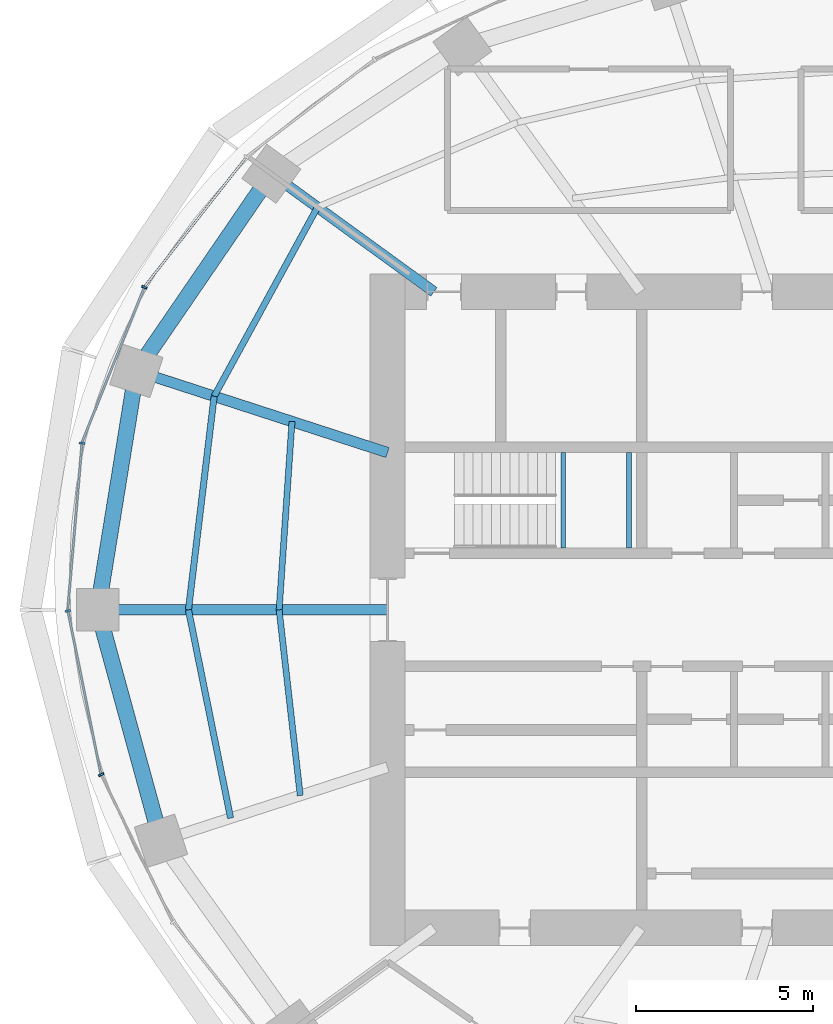
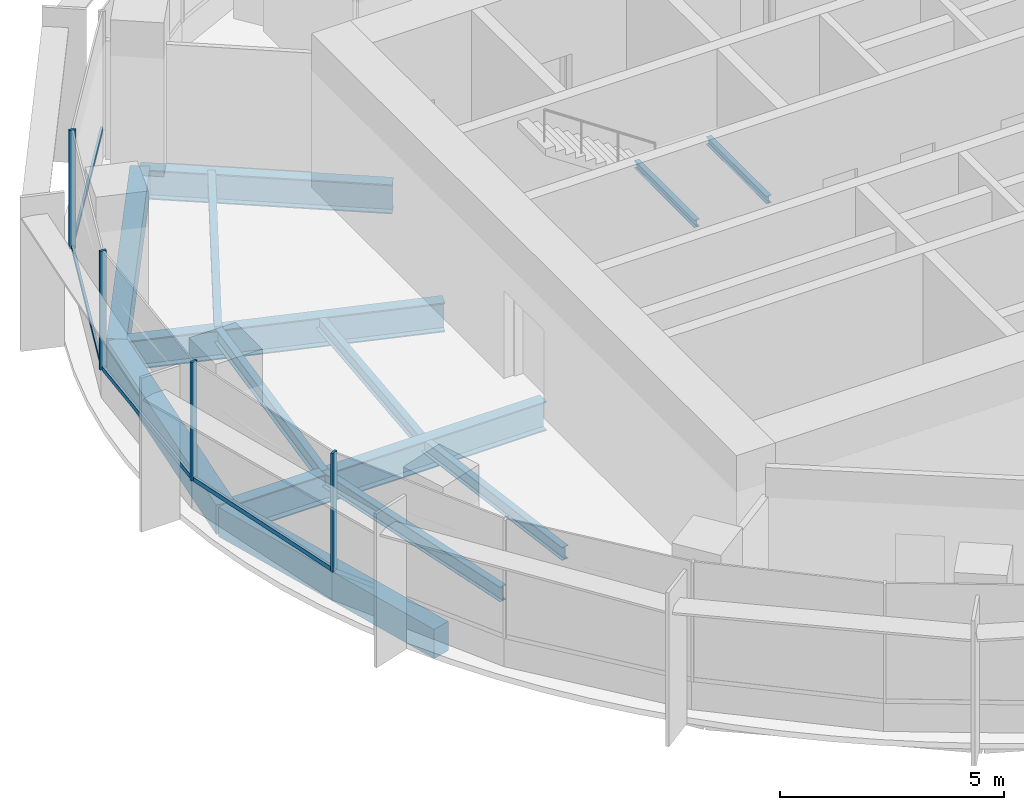
# One storey, part 4 of 13: 13 beams, 8 members, 2 elements without a shape of their own.
"""IFC4 building model written with IfcOpenShell, lengths in metres."""

from ifc_helpers import new_model, si_unit, direction, frame, origin, origin_2d, place, context, subcontext, project, spatial, rectangle, i_section, extrude, material, material_profile, profile_set, type_object, element, aggregate, save


model = new_model("IFC4")

# Units and contexts
model_context = context("Model", 3, precision=1e-05, world=origin(), true_north=direction((0.0, 1.0)))
body_context = subcontext(model_context, "Body", "Model", "MODEL_VIEW")
ifc_project = project(units=[si_unit("LENGTHUNIT", "METRE"), si_unit("AREAUNIT", "SQUARE_METRE"), si_unit("VOLUMEUNIT", "CUBIC_METRE"), si_unit("PLANEANGLEUNIT", "RADIAN"), si_unit("MASSUNIT", "GRAM", prefix="KILO")], contexts=[model_context])

# Site, building, storey
site_placement = place(None, origin())
site = spatial("IfcSite", under=ifc_project, at=site_placement, CompositionType="ELEMENT")
building_placement = place(site_placement, origin())
building = spatial("IfcBuilding", under=site, at=building_placement, Name="Marramba Exchange Tower", CompositionType="ELEMENT")
storey_placement = place(building_placement, frame((0.0, 0.0, 264.39990234375)))
storey = spatial("IfcBuildingStorey", under=building, at=storey_placement, Name="L64", CompositionType="ELEMENT", Elevation=264.39990234375)

# Curtain wall, members
ifc_material_1 = material(Name="Aluminium framing, bronze anodised", Category="aluminium")
curtain_wall_type = type_object("IfcCurtainWallType", Name="Executive floor ribbon curtain wall", PredefinedType="USERDEFINED", material=ifc_material_1)
curtain_wall_1_placement = place(storey_placement, origin())
curtain_wall_1 = element("IfcCurtainWall", 1, at=curtain_wall_1_placement, inside=storey, type_object=curtain_wall_type, Name="Curtain wall CW5 L64 F11-F15", ObjectType="RIBBON CURTAIN WALL", PredefinedType="USERDEFINED")
ifc_material_2 = material(Name="Aluminium mullion, bronze anodised", Category="aluminium")
ifc_material_profile_1 = material_profile(ifc_material_2, rectangle(XDim=0.159912109375, YDim=0.06005859375, at=origin_2d()), Name="CW5 mullion 60x160")
ifc_profile_set_1 = profile_set([ifc_material_profile_1], Name="Aluminium mullion, bronze anodised")
member_type_1 = type_object("IfcMemberType", Name="Executive floor ribbon curtain wall mullion", PredefinedType="MULLION", material=ifc_profile_set_1)
member_1_placement = place(storey_placement, frame((-20.580810546875, 9.13037109375, 0.800048828125), z_axis=(0.0, 0.0, 1.0), x_axis=(0.927838139977, -0.372983090774, 0.0)))
member_1 = element("IfcMember", 2, at=member_1_placement, type_object=member_type_1, Name="CW5 mullion 1", PredefinedType="MULLION", context=body_context, shape_type="SweptSolid", body=[
    extrude(rectangle(XDim=0.159912109375, YDim=0.06005859375, at=origin_2d()), origin(), (0.0, 0.0, 1.0), 3.239990234375),
])
member_2_placement = place(storey_placement, frame((-22.3447265625, 4.718994140625, 0.800048828125), z_axis=(0.0, 0.0, 1.0), x_axis=(0.996331816632, -0.085574009881, 0.0)))
member_2 = element("IfcMember", 3, at=member_2_placement, type_object=member_type_1, Name="CW5 mullion 1", PredefinedType="MULLION", context=body_context, shape_type="SweptSolid", body=[
    extrude(rectangle(XDim=0.159912109375, YDim=0.06005859375, at=origin_2d()), origin(), (0.0, 0.0, 1.0), 3.239990234375),
])

curtain_wall_2_placement = place(storey_placement, origin())
curtain_wall_2 = element("IfcCurtainWall", 4, at=curtain_wall_2_placement, inside=storey, type_object=curtain_wall_type, Name="Curtain wall CW5 L64 F16-F20", ObjectType="RIBBON CURTAIN WALL", PredefinedType="USERDEFINED")
member_3_placement = place(storey_placement, frame((-22.744140625, -0.029296875, 0.800048828125), z_axis=(0.0, 0.0, 1.0), x_axis=(0.980268514856, 0.19767053089, 0.0)))
member_3 = element("IfcMember", 5, at=member_3_placement, type_object=member_type_1, Name="CW5 mullion 1", PredefinedType="MULLION", context=body_context, shape_type="SweptSolid", body=[
    extrude(rectangle(XDim=0.159912109375, YDim=0.06005859375, at=origin_2d()), origin(), (0.0, 0.0, 1.0), 3.239990234375),
])
member_4_placement = place(storey_placement, frame((-21.8017578125, -4.663818359375, 0.800048828125), z_axis=(0.0, 0.0, 1.0), x_axis=(0.89969718031, 0.436514585945, 0.0)))
member_4 = element("IfcMember", 6, at=member_4_placement, type_object=member_type_1, Name="CW5 mullion 1", PredefinedType="MULLION", context=body_context, shape_type="SweptSolid", body=[
    extrude(rectangle(XDim=0.159912109375, YDim=0.06005859375, at=origin_2d()), origin(), (0.0, 0.0, 1.0), 3.239990234375),
])

# Member
ifc_material_3 = material(Name="Aluminium transom, bronze anodised", Category="aluminium")
ifc_material_profile_2 = material_profile(ifc_material_3, rectangle(XDim=0.06005859375, YDim=0.1201171875, at=origin_2d()), Name="CW5 transom 60x120")
ifc_profile_set_2 = profile_set([ifc_material_profile_2], Name="Aluminium transom, bronze anodised")
member_type_2 = type_object("IfcMemberType", Name="Executive floor ribbon curtain wall transom", PredefinedType="USERDEFINED", material=ifc_profile_set_2)
member_5_placement = place(storey_placement, frame((-17.71044921875, 12.793212890625, 0.830078125), z_axis=(-0.618229471001, -0.785997659784, 0.0), x_axis=(0.785997659784, -0.618229471001, 0.0)))
member_5 = element("IfcMember", 7, at=member_5_placement, type_object=member_type_2, Name="CW5 sill transom", ObjectType="TRANSOM", PredefinedType="USERDEFINED", context=body_context, shape_type="SweptSolid", body=[
    extrude(rectangle(XDim=0.06005859375, YDim=0.1201171875, at=origin_2d()), origin(), (0.0, 0.0, 1.0), 4.624755859375),
])

member_6_placement = place(storey_placement, frame((-20.592041015625, 9.1025390625, 0.830078125), z_axis=(-0.372969057001, -0.927843781312, 0.0), x_axis=(0.927843781312, -0.372969057001, 0.0)))
member_6 = element("IfcMember", 8, at=member_6_placement, type_object=member_type_2, Name="CW5 sill transom", ObjectType="TRANSOM", PredefinedType="USERDEFINED", context=body_context, shape_type="SweptSolid", body=[
    extrude(rectangle(XDim=0.06005859375, YDim=0.1201171875, at=origin_2d()), origin(), (0.0, 0.0, 1.0), 4.692138671875),
])

member_7_placement = place(storey_placement, frame((-22.34716796875, 4.689208984375, 0.830078125), z_axis=(-0.085590935521, -0.99633036276, 0.0), x_axis=(0.99633036276, -0.085590935521, 0.0)))
member_7 = element("IfcMember", 9, at=member_7_placement, type_object=member_type_2, Name="CW5 sill transom", ObjectType="TRANSOM", PredefinedType="USERDEFINED", context=body_context, shape_type="SweptSolid", body=[
    extrude(rectangle(XDim=0.06005859375, YDim=0.1201171875, at=origin_2d()), origin(), (0.0, 0.0, 1.0), 4.70654296875),
])

aggregate(curtain_wall_1, [member_5, member_1, member_6, member_2, member_7])

member_8_placement = place(storey_placement, frame((-22.738037109375, -0.058837890625, 0.830078125), z_axis=(0.197654002556, -0.980271847639, 0.0), x_axis=(0.980271847639, 0.197654002556, 0.0)))
member_8 = element("IfcMember", 10, at=member_8_placement, type_object=member_type_2, Name="CW5 sill transom", ObjectType="TRANSOM", PredefinedType="USERDEFINED", context=body_context, shape_type="SweptSolid", body=[
    extrude(rectangle(XDim=0.06005859375, YDim=0.1201171875, at=origin_2d()), origin(), (0.0, 0.0, 1.0), 4.670166015625),
])

aggregate(curtain_wall_2, [member_3, member_8, member_4])

# Beams
ifc_material_4 = material(Name="Steel AS/NZS 3679.1 grade 300", Category="steel")
ifc_material_profile_3 = material_profile(ifc_material_4, i_section(OverallWidth=0.1708984375, OverallDepth=0.35595703125, WebThickness=0.00732421875, FlangeThickness=0.011474609375, FilletRadius=0.011474609375, at=origin_2d()), Name="360UB50.7")
ifc_profile_set_3 = profile_set([ifc_material_profile_3], Name="Steel AS/NZS 3679.1 grade 300")
beam_type_1 = type_object("IfcBeamType", Name="Floor joist 360UB50.7", PredefinedType="JOIST", material=ifc_profile_set_3)
beam_1_placement = place(storey_placement, frame((-16.40283203125, 5.32958984375, -0.337890625), z_axis=(-0.068096259546, -0.99767875563, 0.0), x_axis=(0.99767875563, -0.068096259546, 0.0)))
element("IfcBeam", 11, at=beam_1_placement, inside=storey, type_object=beam_type_1, Name="Joist L64 bay 10 row 1", PredefinedType="JOIST", context=body_context, shape_type="SweptSolid", body=[
    extrude(i_section(OverallWidth=0.1708984375, OverallDepth=0.35595703125, WebThickness=0.00732421875, FlangeThickness=0.011474609375, FilletRadius=0.011474609375, at=origin_2d()), origin(), (0.0, 0.0, 1.0), 5.342041015625),
])
beam_2_placement = place(storey_placement, frame((-16.7666015625, 0.0, -0.337890625), z_axis=(0.112888968594, -0.993607609054, 0.0), x_axis=(0.993607609054, 0.112888968594, 0.0)))
element("IfcBeam", 12, at=beam_2_placement, inside=storey, type_object=beam_type_1, Name="Joist L64 bay 11 row 1", PredefinedType="JOIST", context=body_context, shape_type="SweptSolid", body=[
    extrude(i_section(OverallWidth=0.1708984375, OverallDepth=0.35595703125, WebThickness=0.00732421875, FlangeThickness=0.011474609375, FilletRadius=0.011474609375, at=origin_2d()), origin(), (0.0, 0.0, 1.0), 5.28759765625),
])
ifc_material_profile_4 = material_profile(ifc_material_4, i_section(OverallWidth=0.177978515625, OverallDepth=0.403076171875, WebThickness=0.007568359375, FlangeThickness=0.010986328125, FilletRadius=0.011474609375, at=origin_2d()), Name="410UB53.7")
ifc_profile_set_4 = profile_set([ifc_material_profile_4], Name="Steel AS/NZS 3679.1 grade 300")
beam_type_2 = type_object("IfcBeamType", Name="Floor joist 410UB53.7", PredefinedType="JOIST", material=ifc_profile_set_4)
beam_3_placement = place(storey_placement, frame((-15.682373046875, 11.393798828125, -0.361328125), z_axis=(-0.479584443791, -0.877495732909, 0.0), x_axis=(0.877495732909, -0.479584443791, 0.0)))
element("IfcBeam", 13, at=beam_3_placement, inside=storey, type_object=beam_type_2, Name="Joist L64 bay 09 row 2", PredefinedType="JOIST", context=body_context, shape_type="SweptSolid", body=[
    extrude(i_section(OverallWidth=0.177978515625, OverallDepth=0.403076171875, WebThickness=0.007568359375, FlangeThickness=0.010986328125, FilletRadius=0.011474609375, at=origin_2d()), origin(), (0.0, 0.0, 1.0), 6.094970703125),
])
beam_4_placement = place(storey_placement, frame((-18.60546875, 6.04541015625, -0.361328125), z_axis=(-0.119523078538, -0.992831422597, 0.0), x_axis=(0.992831422597, -0.119523078538, 0.0)))
element("IfcBeam", 14, at=beam_4_placement, inside=storey, type_object=beam_type_2, Name="Joist L64 bay 10 row 2", PredefinedType="JOIST", context=body_context, shape_type="SweptSolid", body=[
    extrude(i_section(OverallWidth=0.177978515625, OverallDepth=0.403076171875, WebThickness=0.007568359375, FlangeThickness=0.010986328125, FilletRadius=0.011474609375, at=origin_2d()), origin(), (0.0, 0.0, 1.0), 6.089111328125),
])
beam_5_placement = place(storey_placement, frame((-19.333251953125, 0.0, -0.361328125), z_axis=(0.198489047047, -0.980103105904, 0.0), x_axis=(0.980103105904, 0.198489047047, 0.0)))
element("IfcBeam", 15, at=beam_5_placement, inside=storey, type_object=beam_type_2, Name="Joist L64 bay 11 row 2", PredefinedType="JOIST", context=body_context, shape_type="SweptSolid", body=[
    extrude(i_section(OverallWidth=0.177978515625, OverallDepth=0.403076171875, WebThickness=0.007568359375, FlangeThickness=0.010986328125, FilletRadius=0.011474609375, at=origin_2d()), origin(), (0.0, 0.0, 1.0), 6.013427734375),
])
ifc_material_5 = material(Name="Steel AS/NZS 3679.2 grade 300", Category="steel")
ifc_material_profile_5 = material_profile(ifc_material_5, i_section(OverallWidth=0.300048828125, OverallDepth=0.800048828125, WebThickness=0.013916015625, FlangeThickness=0.031982421875, at=origin_2d()), Name="800WB192")
ifc_profile_set_5 = profile_set([ifc_material_profile_5], Name="Steel AS/NZS 3679.2 grade 300")
beam_type_3 = type_object("IfcBeamType", Name="Radial girder 800WB192", PredefinedType="BEAM", material=ifc_profile_set_5)
beam_6_placement = place(storey_placement, frame((-12.387451171875, 9.0, -0.559814453125), z_axis=(-0.809025746925, 0.587773205252, 0.0), x_axis=(-0.587773205252, -0.809025746925, 0.0)))
element("IfcBeam", 16, at=beam_6_placement, inside=storey, type_object=beam_type_3, Name="Radial girder L64 TC09", PredefinedType="BEAM", context=body_context, shape_type="SweptSolid", body=[
    extrude(i_section(OverallWidth=0.300048828125, OverallDepth=0.800048828125, WebThickness=0.013916015625, FlangeThickness=0.031982421875, at=origin_2d()), origin(), (0.0, 0.0, 1.0), 5.683837890625),
])
beam_7_placement = place(storey_placement, frame((-13.699951171875, 4.451416015625, -0.559814453125), z_axis=(-0.951059990189, 0.309006302624, 0.0), x_axis=(-0.309006302624, -0.951059990189, 0.0)))
element("IfcBeam", 17, at=beam_7_placement, inside=storey, type_object=beam_type_3, Name="Radial girder L64 TC10", PredefinedType="BEAM", context=body_context, shape_type="SweptSolid", body=[
    extrude(i_section(OverallWidth=0.300048828125, OverallDepth=0.800048828125, WebThickness=0.013916015625, FlangeThickness=0.031982421875, at=origin_2d()), origin(), (0.0, 0.0, 1.0), 7.47412109375),
])
beam_8_placement = place(storey_placement, frame((-13.699951171875, 0.0, -0.559814453125), z_axis=(-1.0, 0.0, 0.0), x_axis=(0.0, -1.0, 0.0)))
element("IfcBeam", 18, at=beam_8_placement, inside=storey, type_object=beam_type_3, Name="Radial girder L64 TC11", PredefinedType="BEAM", context=body_context, shape_type="SweptSolid", body=[
    extrude(i_section(OverallWidth=0.300048828125, OverallDepth=0.800048828125, WebThickness=0.013916015625, FlangeThickness=0.031982421875, at=origin_2d()), origin(), (0.0, 0.0, 1.0), 8.199951171875),
])
ifc_material_6 = material(Name="Concrete N50", Category="concrete")
ifc_material_profile_6 = material_profile(ifc_material_6, rectangle(XDim=0.449951171875, YDim=0.800048828125, at=origin_2d()), Name="RC 450x800")
ifc_profile_set_6 = profile_set([ifc_material_profile_6], Name="Concrete N50")
beam_type_4 = type_object("IfcBeamType", Name="Ring beam RC 450x800 N50", PredefinedType="SPANDREL", material=ifc_profile_set_6)
beam_9_placement = place(storey_placement, frame((-16.98583984375, 12.3408203125, -0.559814453125), z_axis=(-0.56516002054, -0.824981303535, 0.0), x_axis=(0.824981303535, -0.56516002054, 0.0)))
element("IfcBeam", 19, at=beam_9_placement, inside=storey, type_object=beam_type_4, Name="Ring beam L64 TC09-TC10", PredefinedType="SPANDREL", context=body_context, shape_type="SweptSolid", body=[
    extrude(rectangle(XDim=0.449951171875, YDim=0.800048828125, at=origin_2d()), origin(), (0.0, 0.0, 1.0), 6.763671875),
])
beam_10_placement = place(storey_placement, frame((-20.808349609375, 6.760986328125, -0.559814453125), z_axis=(-0.159384865399, -0.987216523708, 0.0), x_axis=(0.987216523708, -0.159384865399, 0.0)))
element("IfcBeam", 20, at=beam_10_placement, inside=storey, type_object=beam_type_4, Name="Ring beam L64 TC10-TC11", PredefinedType="SPANDREL", context=body_context, shape_type="SweptSolid", body=[
    extrude(rectangle(XDim=0.449951171875, YDim=0.800048828125, at=origin_2d()), origin(), (0.0, 0.0, 1.0), 6.8486328125),
])
beam_11_placement = place(storey_placement, frame((-21.89990234375, 0.0, -0.559814453125), z_axis=(0.264291166956, -0.964442937176, 0.0), x_axis=(0.964442937176, 0.264291166956, 0.0)))
element("IfcBeam", 21, at=beam_11_placement, inside=storey, type_object=beam_type_4, Name="Ring beam L64 TC11-TC12", PredefinedType="SPANDREL", context=body_context, shape_type="SweptSolid", body=[
    extrude(rectangle(XDim=0.449951171875, YDim=0.800048828125, at=origin_2d()), origin(), (0.0, 0.0, 1.0), 6.77490234375),
])
ifc_material_profile_7 = material_profile(ifc_material_4, i_section(OverallWidth=0.133056640625, OverallDepth=0.202880859375, WebThickness=0.005859375, FlangeThickness=0.0078125, FilletRadius=0.0087890625, at=origin_2d()), Name="200UB25.4")
ifc_profile_set_7 = profile_set([ifc_material_profile_7], Name="Steel AS/NZS 3679.1 grade 300")
beam_type_5 = type_object("IfcBeamType", Name="Stair landing beam 200UB25.4", PredefinedType="BEAM", material=ifc_profile_set_7)
for number, where, z_axis, x_axis, name in (
    (22, (-8.723388671875, 1.75, 1.798583984375), (0.0, 1.0, 0.0), (-1.0, 0.0, 0.0), "Stair landing beam SLB1 ST1 L64 1"),
    (23, (-6.866455078125, 1.75, 1.798583984375), (0.0, 1.0, 0.0), (-1.0, 0.0, 0.0), "Stair landing beam SLB1 ST1 L64 2"),
):
    element("IfcBeam", number, at=place(storey_placement, frame(where, z_axis=z_axis, x_axis=x_axis)), inside=storey, type_object=beam_type_5, Name=name, PredefinedType="BEAM", context=body_context, shape_type="SweptSolid", body=[
        extrude(i_section(OverallWidth=0.133056640625, OverallDepth=0.202880859375, WebThickness=0.005859375, FlangeThickness=0.0078125, FilletRadius=0.0087890625, at=origin_2d()), origin(), (0.0, 0.0, 1.0), 2.699951171875),
    ])

save(model, "model.ifc")
